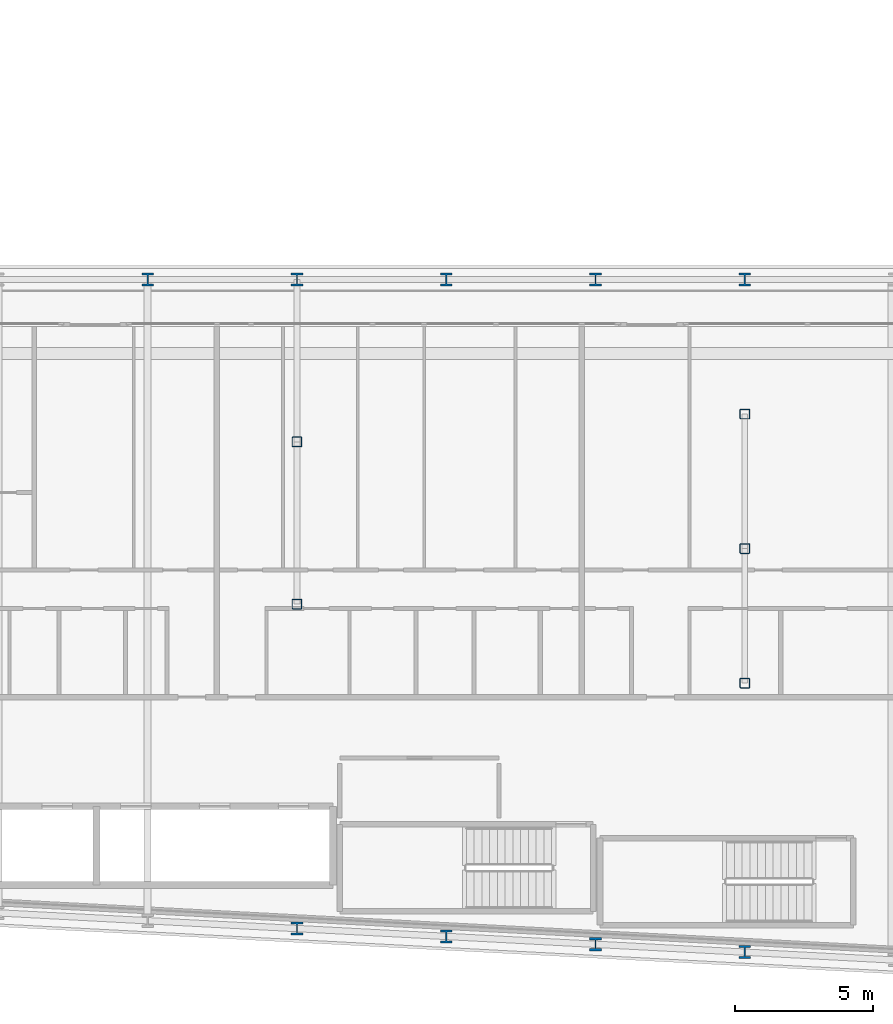
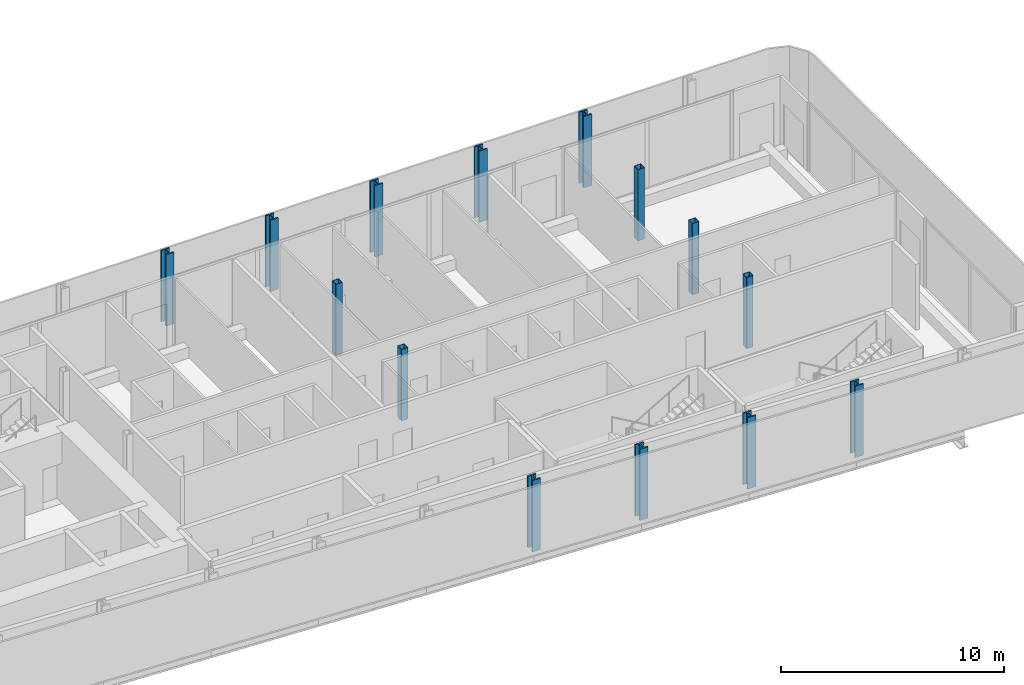
# One storey, part 2 of 28: 14 columns.
"""IFC4 building model written with IfcOpenShell, lengths in metres."""

from ifc_helpers import new_model, si_unit, direction, frame, origin, origin_2d, place, context, subcontext, project, spatial, hollow_rectangle, i_section, extrude, material, material_profile, profile_set, type_object, element, save


model = new_model("IFC4")

# Units and contexts
model_context = context("Model", 3, precision=1e-05, world=origin(), true_north=direction((0.0, 1.0)))
body_context = subcontext(model_context, "Body", "Model", "MODEL_VIEW")
ifc_project = project(units=[si_unit("LENGTHUNIT", "METRE"), si_unit("AREAUNIT", "SQUARE_METRE"), si_unit("VOLUMEUNIT", "CUBIC_METRE"), si_unit("PLANEANGLEUNIT", "RADIAN"), si_unit("MASSUNIT", "GRAM", prefix="KILO")], contexts=[model_context])

# Site, building, storey
site_placement = place(None, origin())
site = spatial("IfcSite", under=ifc_project, at=site_placement, CompositionType="ELEMENT")
building_placement = place(site_placement, origin())
building = spatial("IfcBuilding", under=site, at=building_placement, Name="Kheshtan School and Residences Tower", CompositionType="ELEMENT")
storey_placement = place(building_placement, frame((0.0, 0.0, 42.199951171875)))
storey = spatial("IfcBuildingStorey", under=building, at=storey_placement, Name="L09", CompositionType="ELEMENT", Elevation=42.199951171875)

# Columns
ifc_material_1 = material(Name="Steel ASTM A992 Grade 50", Category="steel")
ifc_material_profile_1 = material_profile(ifc_material_1, i_section(OverallWidth=0.424072265625, OverallDepth=0.47412109375, WebThickness=0.047607421875, FlangeThickness=0.0771484375, FilletRadius=0.01416015625, at=origin_2d()), Name="W360x634")
ifc_profile_set_1 = profile_set([ifc_material_profile_1], Name="Steel ASTM A992 Grade 50")
column_type_1 = type_object("IfcColumnType", Name="Column C1 W360x634 ASTM A992 Grade 50", PredefinedType="COLUMN", material=ifc_profile_set_1)
for number, where, z_axis, x_axis, name in (
    (1, (85.39990234375, 21.27392578125, 0.0), (0.0, 0.0, 1.0), (1.0, 0.0, 0.0), "Column C008"),
    (2, (80.0, 21.55810546875, 0.0), (0.0, 0.0, 1.0), (1.0, 0.0, 0.0), "Column C012"),
    (3, (74.60009765625, 21.843017578125, 0.0), (0.0, 0.0, 1.0), (1.0, 0.0, 0.0), "Column C013"),
    (4, (69.199951171875, 22.126953125, 0.0), (0.0, 0.0, 1.0), (1.0, 0.0, 0.0), "Column C014"),
    (5, (63.800048828125, 45.60009765625, 0.0), (0.0, 0.0, 1.0), (1.0, 0.0, 0.0), "Column C063"),
    (6, (69.199951171875, 45.60009765625, 0.0), (0.0, 0.0, 1.0), (1.0, 0.0, 0.0), "Column C064"),
    (7, (74.60009765625, 45.60009765625, 0.0), (0.0, 0.0, 1.0), (1.0, 0.0, 0.0), "Column C065"),
    (8, (80.0, 45.60009765625, 0.0), (0.0, 0.0, 1.0), (1.0, 0.0, 0.0), "Column C066"),
    (9, (85.39990234375, 45.60009765625, 0.0), (0.0, 0.0, 1.0), (1.0, 0.0, 0.0), "Column C067"),
):
    element("IfcColumn", number, at=place(storey_placement, frame(where, z_axis=z_axis, x_axis=x_axis)), inside=storey, type_object=column_type_1, Name=name, PredefinedType="COLUMN", context=body_context, shape_type="SweptSolid", body=[
        extrude(i_section(OverallWidth=0.424072265625, OverallDepth=0.47412109375, WebThickness=0.047607421875, FlangeThickness=0.0771484375, FilletRadius=0.01416015625, at=origin_2d()), origin(), (0.0, 0.0, 1.0), 3.900146484375),
    ])
ifc_material_2 = material(Name="Steel ASTM A500 Grade C", Category="steel")
ifc_material_profile_2 = material_profile(ifc_material_2, hollow_rectangle(XDim=0.35595703125, YDim=0.35595703125, WallThickness=0.015869140625, InnerFilletRadius=0.015869140625, OuterFilletRadius=0.03173828125, at=origin_2d()), Name="HSS 356x356x15.9")
ifc_profile_set_2 = profile_set([ifc_material_profile_2], Name="Steel ASTM A500 Grade C")
column_type_2 = type_object("IfcColumnType", Name="Column IC1 HSS 356x356x15.9 ASTM A500 Grade C", PredefinedType="COLUMN", material=ifc_profile_set_2)
for number, where, z_axis, x_axis, name in (
    (10, (85.39990234375, 31.0048828125, 0.0), (0.0, 0.0, 1.0), (1.0, 0.0, 0.0), "Column C049"),
    (11, (69.199951171875, 33.863037109375, 0.0), (0.0, 0.0, 1.0), (1.0, 0.0, 0.0), "Column C050"),
    (12, (85.39990234375, 35.8701171875, 0.0), (0.0, 0.0, 1.0), (1.0, 0.0, 0.0), "Column C053"),
    (13, (69.199951171875, 39.73193359375, 0.0), (0.0, 0.0, 1.0), (1.0, 0.0, 0.0), "Column C054"),
    (14, (85.39990234375, 40.735107421875, 0.0), (0.0, 0.0, 1.0), (1.0, 0.0, 0.0), "Column C057"),
):
    element("IfcColumn", number, at=place(storey_placement, frame(where, z_axis=z_axis, x_axis=x_axis)), inside=storey, type_object=column_type_2, Name=name, PredefinedType="COLUMN", context=body_context, shape_type="SweptSolid", body=[
        extrude(hollow_rectangle(XDim=0.35595703125, YDim=0.35595703125, WallThickness=0.015869140625, InnerFilletRadius=0.015869140625, OuterFilletRadius=0.03173828125, at=origin_2d()), origin(), (0.0, 0.0, 1.0), 3.900146484375),
    ])

save(model, "model.ifc")
